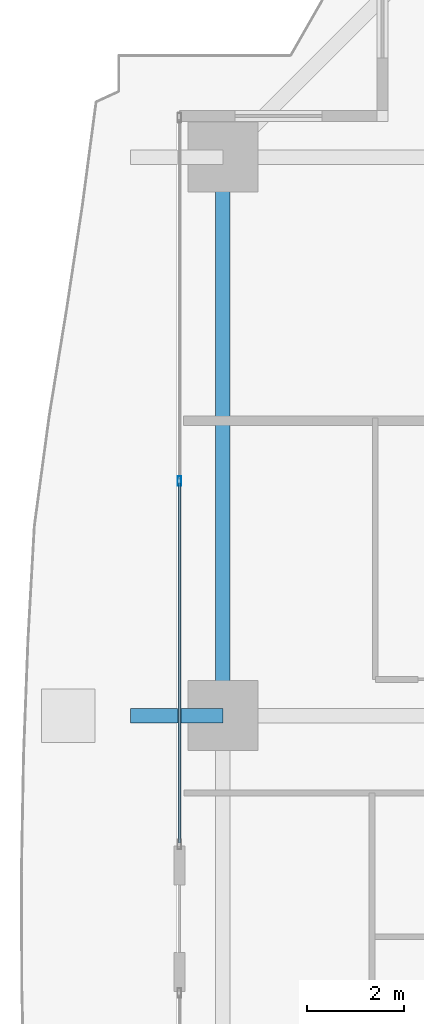
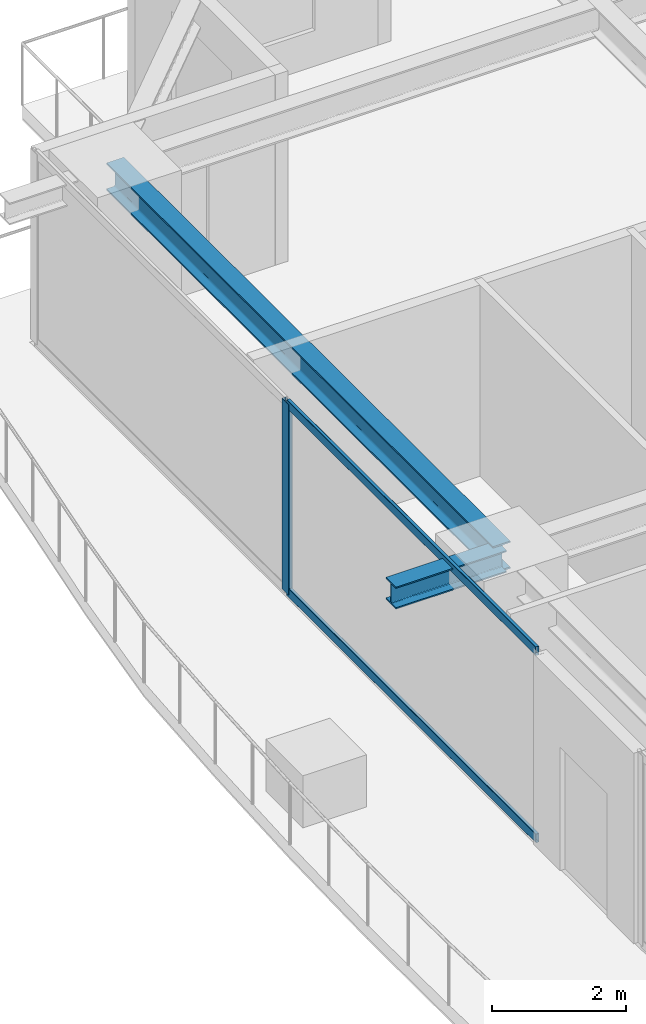
# One storey, part 16 of 41: 3 members, 2 beams, 1 element without a shape of its own.
"""IFC4 building model written with IfcOpenShell, lengths in metres."""

from ifc_helpers import new_model, si_unit, direction, frame, origin, origin_2d, place, context, subcontext, project, spatial, hollow_rectangle, i_section, extrude, source, transform, mapped, material, layer, layer_set, material_profile, profile_set, type_object, element, aggregate, save


model = new_model("IFC4")

# Units and contexts
model_context = context("Model", 3, precision=1e-05, world=origin(), true_north=direction((0.0, 1.0)))
body_context = subcontext(model_context, "Body", "Model", "MODEL_VIEW")
ifc_project = project(units=[si_unit("LENGTHUNIT", "METRE"), si_unit("AREAUNIT", "SQUARE_METRE"), si_unit("VOLUMEUNIT", "CUBIC_METRE"), si_unit("PLANEANGLEUNIT", "RADIAN"), si_unit("MASSUNIT", "GRAM", prefix="KILO")], contexts=[model_context])

# Site, building, storey
site_placement = place(None, origin())
site = spatial("IfcSite", under=ifc_project, at=site_placement, CompositionType="ELEMENT")
building_placement = place(site_placement, origin())
building = spatial("IfcBuilding", under=site, at=building_placement, Name="Serunith Strait Residences", CompositionType="ELEMENT")
storey_placement = place(building_placement, frame((0.0, 0.0, 75.449951171875)))
storey = spatial("IfcBuildingStorey", under=building, at=storey_placement, Name="L18", CompositionType="ELEMENT", Elevation=75.449951171875)

# Beams
ifc_material_1 = material(Name="Steel S355J2", Category="steel")
ifc_material_profile_1 = material_profile(ifc_material_1, i_section(OverallWidth=0.300048828125, OverallDepth=0.5, WebThickness=0.014404296875, FlangeThickness=0.028076171875, FilletRadius=0.027099609375, at=origin_2d()), Name="HEB 500")
ifc_profile_set_1 = profile_set([ifc_material_profile_1], Name="Steel S355J2")
beam_type_1 = type_object("IfcBeamType", Name="BM-HEB500", PredefinedType="BEAM", material=ifc_profile_set_1)
shared_shape_1 = source(origin(), body_context, "Body", "SweptSolid", [
    extrude(i_section(OverallWidth=0.300048828125, OverallDepth=0.5, WebThickness=0.014404296875, FlangeThickness=0.028076171875, FilletRadius=0.027099609375, at=origin_2d()), origin(), (0.0, 0.0, 1.0), 11.550048828125),
])
beam_1_placement = place(storey_placement, frame((6.89990234375, 40.949951171875, 3.237060546875), z_axis=(0.0, -1.0, 0.0), x_axis=(1.0, 0.0, 0.0)))
element("IfcBeam", 1, at=beam_1_placement, inside=storey, type_object=beam_type_1, Name="L18 Perimeter Ring Beam 13", PredefinedType="BEAM", context=body_context, shape_type="MappedRepresentation", body=[
    mapped(shared_shape_1, transform((0.0, 0.0, 0.0), scale=1.0)),
])
ifc_material_profile_2 = material_profile(ifc_material_1, i_section(OverallWidth=0.300048828125, OverallDepth=0.39990234375, WebThickness=0.013427734375, FlangeThickness=0.02392578125, FilletRadius=0.027099609375, at=origin_2d()), Name="HEB 400")
ifc_profile_set_2 = profile_set([ifc_material_profile_2], Name="Steel S355J2")
beam_type_2 = type_object("IfcBeamType", Name="BM-HEB400", PredefinedType="BEAM", material=ifc_profile_set_2)
shared_shape_2 = source(origin(), body_context, "Body", "SweptSolid", [
    extrude(i_section(OverallWidth=0.300048828125, OverallDepth=0.39990234375, WebThickness=0.013427734375, FlangeThickness=0.02392578125, FilletRadius=0.027099609375, at=origin_2d()), origin(), (0.0, 0.0, 1.0), 1.909912109375),
])
beam_2_placement = place(storey_placement, frame((6.89990234375, 29.39990234375, 3.257080078125), z_axis=(-1.0, 0.0, 0.0), x_axis=(0.0, -1.0, 0.0)))
element("IfcBeam", 2, at=beam_2_placement, inside=storey, type_object=beam_type_2, Name="L19 Cantilevered Balcony Rib TC-W3", PredefinedType="BEAM", context=body_context, shape_type="MappedRepresentation", body=[
    mapped(shared_shape_2, transform((0.0, 0.0, 0.0), scale=1.0)),
])

# Curtain wall, members
ifc_material_2 = material(Name="Pale-Champagne Anodised Aluminium", Category="aluminium")
ifc_layer = layer(ifc_material_2, 0.199951171875, Name="Pale-Champagne Anodised Aluminium")
ifc_layer_set = layer_set([ifc_layer], Name="Pale-Champagne Anodised Aluminium")
curtain_wall_type = type_object("IfcCurtainWallType", Name="CW-SYS1", PredefinedType="NOTDEFINED", material=ifc_layer_set)
curtain_wall_placement = place(storey_placement, origin())
curtain_wall = element("IfcCurtainWall", 3, at=curtain_wall_placement, inside=storey, type_object=curtain_wall_type, Name="L18 W Unitised Fritted Curtain Wall", PredefinedType="NOTDEFINED")
ifc_material_profile_3 = material_profile(ifc_material_2, hollow_rectangle(XDim=0.070068359375, YDim=0.199951171875, WallThickness=0.00390625, InnerFilletRadius=0.006103515625, OuterFilletRadius=0.010009765625, at=origin_2d()), Name="ALU 200x70x4")
ifc_profile_set_3 = profile_set([ifc_material_profile_3], Name="Pale-Champagne Anodised Aluminium")
member_type_1 = type_object("IfcMemberType", Name="CW-SYS1-MULL", PredefinedType="MULLION", material=ifc_profile_set_3)
shared_shape_3 = source(origin(), body_context, "Body", "SweptSolid", [
    extrude(hollow_rectangle(XDim=0.070068359375, YDim=0.199951171875, WallThickness=0.00390625, InnerFilletRadius=0.006103515625, OuterFilletRadius=0.010009765625, at=origin_2d()), origin(), (0.0, 0.0, 1.0), 3.47509765625),
])
member_1_placement = place(storey_placement, frame((6.0, 34.25, 0.0), z_axis=(0.0, 0.0, 1.0), x_axis=(1.0, 0.0, 0.0)))
member_1 = element("IfcMember", 4, at=member_1_placement, type_object=member_type_1, Name="CW-1 mullion 2", PredefinedType="MULLION", context=body_context, shape_type="MappedRepresentation", body=[
    mapped(shared_shape_3, transform((0.0, 0.0, 0.0), scale=1.0)),
])
ifc_material_profile_4 = material_profile(ifc_material_2, hollow_rectangle(XDim=0.06005859375, YDim=0.159912109375, WallThickness=0.00341796875, InnerFilletRadius=0.00537109375, OuterFilletRadius=0.0087890625, at=origin_2d()), Name="ALU 160x60x3.5")
ifc_profile_set_4 = profile_set([ifc_material_profile_4], Name="Pale-Champagne Anodised Aluminium")
member_type_2 = type_object("IfcMemberType", Name="CW-SYS1-TRAN", PredefinedType="USERDEFINED", material=ifc_profile_set_4)
shared_shape_4 = source(origin(), body_context, "Body", "SweptSolid", [
    extrude(hollow_rectangle(XDim=0.06005859375, YDim=0.159912109375, WallThickness=0.00341796875, InnerFilletRadius=0.00537109375, OuterFilletRadius=0.0087890625, at=origin_2d()), origin(), (0.0, 0.0, 1.0), 7.445068359375),
])
member_2_placement = place(storey_placement, frame((6.0, 34.215087890625, 0.030029296875), z_axis=(0.0, -1.0, 0.0), x_axis=(1.0, 0.0, 0.0)))
member_2 = element("IfcMember", 5, at=member_2_placement, type_object=member_type_2, Name="CW-1 transom 2.1", ObjectType="TRANSOM", PredefinedType="USERDEFINED", context=body_context, shape_type="MappedRepresentation", body=[
    mapped(shared_shape_4, transform((0.0, 0.0, 0.0), scale=1.0)),
])
member_3_placement = place(storey_placement, frame((6.0, 34.215087890625, 3.445068359375), z_axis=(0.0, -1.0, 0.0), x_axis=(1.0, 0.0, 0.0)))
member_3 = element("IfcMember", 6, at=member_3_placement, type_object=member_type_2, Name="CW-1 transom 2.2", ObjectType="TRANSOM", PredefinedType="USERDEFINED", context=body_context, shape_type="MappedRepresentation", body=[
    mapped(shared_shape_4, transform((0.0, 0.0, 0.0), scale=1.0)),
])
aggregate(curtain_wall, [member_1, member_2, member_3])

save(model, "model.ifc")
